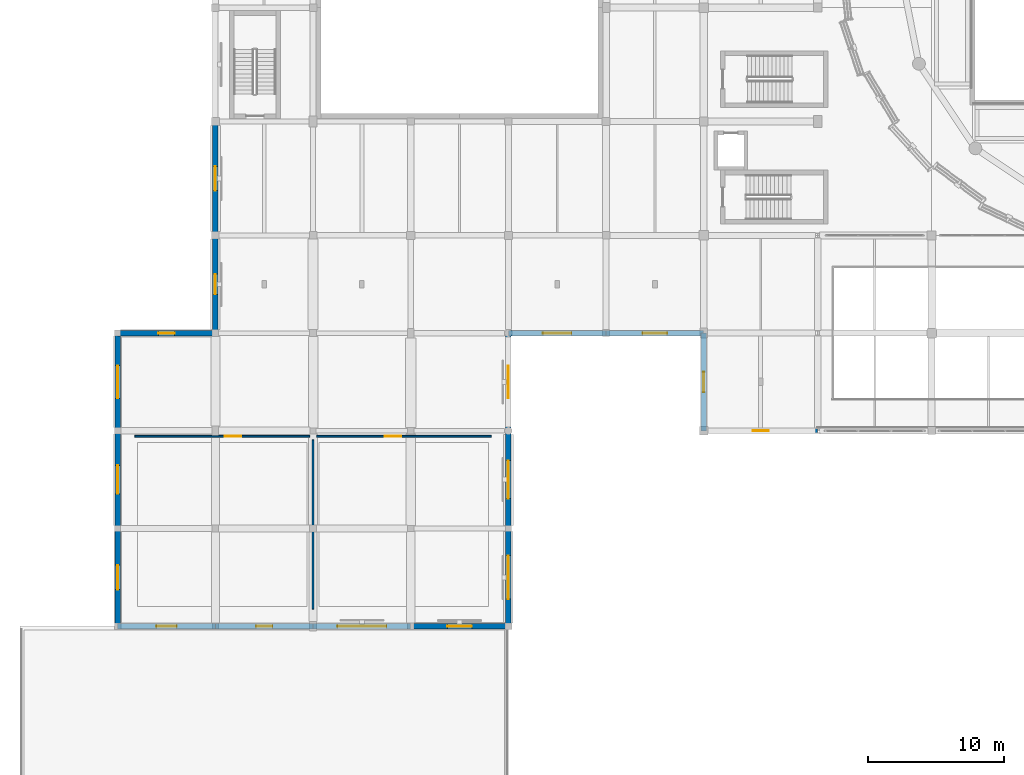
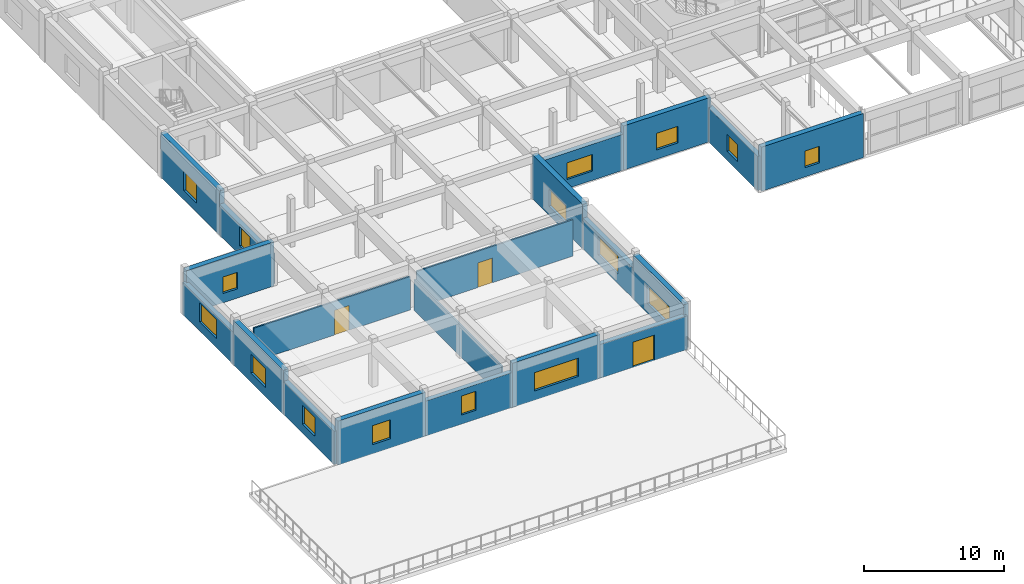
# One storey, part 46 of 71: 20 walls, 16 windows, 3 doors, 19 openings.
"""IFC4 building model written with IfcOpenShell, lengths in metres."""

from ifc_helpers import new_model, si_unit, direction, frame, frame_2d, origin, place, context, subcontext, project, spatial, rectangle, extrude, material, layer, layer_set, type_object, element, fill, save


model = new_model("IFC4")

# Units and contexts
model_context = context("Model", 3, precision=1e-05, world=origin(), true_north=direction((0.0, 1.0)))
body_context = subcontext(model_context, "Body", "Model", "MODEL_VIEW")
ifc_project = project(units=[si_unit("LENGTHUNIT", "METRE"), si_unit("AREAUNIT", "SQUARE_METRE"), si_unit("VOLUMEUNIT", "CUBIC_METRE"), si_unit("PLANEANGLEUNIT", "RADIAN"), si_unit("MASSUNIT", "GRAM", prefix="KILO")], contexts=[model_context])

# Site, building, storey
site_placement = place(None, origin())
site = spatial("IfcSite", under=ifc_project, at=site_placement, CompositionType="ELEMENT")
building_placement = place(site_placement, origin())
building = spatial("IfcBuilding", under=site, at=building_placement, Name="Korsvaeld Concert Hall", CompositionType="ELEMENT")
storey_placement = place(building_placement, frame((0.0, 0.0, 4.800048828125)))
storey = spatial("IfcBuildingStorey", under=building, at=storey_placement, Name="L01", CompositionType="ELEMENT", Elevation=4.800048828125)

# Wall, opening, window
ifc_material_1 = material(Name="Obernkirchener buff sandstone rainscreen on Concrete C35/45", Category="masonry")
ifc_layer_1 = layer(ifc_material_1, 0.389892578125)
ifc_layer_set_1 = layer_set([ifc_layer_1], Name="Obernkirchener buff sandstone rainscreen on Concrete C35/45")
wall_type_1 = type_object("IfcWallType", Name="WL-EXT-BUFF-390", PredefinedType="STANDARD", material=ifc_layer_set_1)
wall_1_placement = place(storey_placement, frame((14.39990234375, 36.0, 0.0), z_axis=(0.0, 0.0, 1.0), x_axis=(0.0, 1.0, 0.0)))
wall_1 = element("IfcWall", 1, at=wall_1_placement, inside=storey, type_object=wall_type_1, Name="Exterior sandstone wall L01-139", PredefinedType="STANDARD", context=body_context, shape_type="SweptSolid", body=[
    extrude(rectangle(XDim=7.199951171875, YDim=0.389892578125, at=frame_2d((3.60009765625, 0.0))), origin(), (0.0, 0.0, 1.0), 2.68994140625),
])
opening_1_placement = place(wall_1_placement, frame((2.85009765625, 0.0, 0.800048828125)))
opening_1 = element("IfcOpeningElement", 2, at=opening_1_placement, cuts=wall_1, Name="Opening WN-02", PredefinedType="OPENING", context=body_context, shape_type="SweptSolid", body=[
    extrude(rectangle(XDim=1.5, YDim=1.64990234375, at=frame_2d((0.75, 0.824951171875))), frame((0.0, 0.205078125, 0.0), z_axis=(0.0, -1.0, 0.0), x_axis=(1.0, 0.0, 0.0)), (0.0, 0.0, 1.0), 0.409912109375),
])
ifc_material_2 = material(Name="Anodised bronze frame with acoustic triple glazing", Category="glass")
window_type_1 = type_object("IfcWindowType", Name="WIN-AC-150x165", PartitioningType="SINGLE_PANEL", PredefinedType="WINDOW", material=ifc_material_2)
window_1_placement = place(opening_1_placement, origin())
window_1 = element("IfcWindow", 3, at=window_1_placement, inside=storey, type_object=window_type_1, Name="Acoustic triple-glazed window L01-050", OverallHeight=1.64990234375, OverallWidth=1.5, PartitioningType="SINGLE_PANEL", PredefinedType="WINDOW", context=body_context, shape_type="SweptSolid", body=[
    extrude(rectangle(XDim=1.5, YDim=1.64990234375, at=frame_2d((0.75, 0.824951171875))), frame((0.0, 0.030029296875, 0.0), z_axis=(0.0, -1.0, 0.0), x_axis=(1.0, 0.0, 0.0)), (0.0, 0.0, 1.0), 0.06005859375),
])
fill(opening_1, window_1)

wall_2_placement = place(storey_placement, frame((50.39990234375, 28.800048828125, 0.0), z_axis=(0.0, 0.0, 1.0), x_axis=(0.0, 1.0, 0.0)))
wall_2 = element("IfcWall", 4, at=wall_2_placement, inside=storey, type_object=wall_type_1, Name="Exterior sandstone wall L01-199", PredefinedType="STANDARD", context=body_context, shape_type="SweptSolid", body=[
    extrude(rectangle(XDim=7.199951171875, YDim=0.389892578125, at=frame_2d((3.60009765625, 0.0))), origin(), (0.0, 0.0, 1.0), 2.989990234375),
])
opening_2_placement = place(wall_2_placement, frame((2.85009765625, 0.0, 0.800048828125)))
opening_2 = element("IfcOpeningElement", 5, at=opening_2_placement, cuts=wall_2, Name="Opening WN-07", PredefinedType="OPENING", context=body_context, shape_type="SweptSolid", body=[
    extrude(rectangle(XDim=1.5, YDim=1.449951171875, at=frame_2d((0.75, 0.72509765625))), frame((0.0, 0.205078125, 0.0), z_axis=(0.0, -1.0, 0.0), x_axis=(1.0, 0.0, 0.0)), (0.0, 0.0, 1.0), 0.409912109375),
])
window_type_2 = type_object("IfcWindowType", Name="WIN-AC-150x145", PartitioningType="SINGLE_PANEL", PredefinedType="WINDOW", material=ifc_material_2)
window_2_placement = place(opening_2_placement, origin())
window_2 = element("IfcWindow", 6, at=window_2_placement, inside=storey, type_object=window_type_2, Name="Acoustic triple-glazed window L01-107", OverallHeight=1.449951171875, OverallWidth=1.5, PartitioningType="SINGLE_PANEL", PredefinedType="WINDOW", context=body_context, shape_type="SweptSolid", body=[
    extrude(rectangle(XDim=1.5, YDim=1.449951171875, at=frame_2d((0.75, 0.72509765625))), frame((0.0, 0.030029296875, 0.0), z_axis=(0.0, -1.0, 0.0), x_axis=(1.0, 0.0, 0.0)), (0.0, 0.0, 1.0), 0.06005859375),
])
fill(opening_2, window_2)

wall_3_placement = place(storey_placement, frame((43.199951171875, 36.0, 0.0), z_axis=(0.0, 0.0, 1.0), x_axis=(-1.0, 0.0, 0.0)))
wall_3 = element("IfcWall", 7, at=wall_3_placement, inside=storey, type_object=wall_type_1, Name="Exterior sandstone wall L01-201", PredefinedType="STANDARD", context=body_context, shape_type="SweptSolid", body=[
    extrude(rectangle(XDim=7.199951171875, YDim=0.389892578125, at=frame_2d((3.60009765625, 0.0))), origin(), (0.0, 0.0, 1.0), 3.139892578125),
])
opening_3_placement = place(wall_3_placement, frame((2.550048828125, 0.0, 0.800048828125)))
opening_3 = element("IfcOpeningElement", 8, at=opening_3_placement, cuts=wall_3, Name="Opening WN-09", PredefinedType="OPENING", context=body_context, shape_type="SweptSolid", body=[
    extrude(rectangle(XDim=2.10009765625, YDim=1.449951171875, at=frame_2d((1.050048828125, 0.72509765625))), frame((0.0, 0.205078125, 0.0), z_axis=(0.0, -1.0, 0.0), x_axis=(1.0, 0.0, 0.0)), (0.0, 0.0, 1.0), 0.409912109375),
])
window_type_3 = type_object("IfcWindowType", Name="WIN-AC-210x145", PartitioningType="SINGLE_PANEL", PredefinedType="WINDOW", material=ifc_material_2)
window_3_placement = place(opening_3_placement, origin())
window_3 = element("IfcWindow", 9, at=window_3_placement, inside=storey, type_object=window_type_3, Name="Acoustic triple-glazed window L01-109", OverallHeight=1.449951171875, OverallWidth=2.10009765625, PartitioningType="SINGLE_PANEL", PredefinedType="WINDOW", context=body_context, shape_type="SweptSolid", body=[
    extrude(rectangle(XDim=2.10009765625, YDim=1.449951171875, at=frame_2d((1.050048828125, 0.72509765625))), frame((0.0, 0.030029296875, 0.0), z_axis=(0.0, -1.0, 0.0), x_axis=(1.0, 0.0, 0.0)), (0.0, 0.0, 1.0), 0.06005859375),
])
fill(opening_3, window_3)

wall_4_placement = place(storey_placement, frame((36.0, 28.800048828125, 0.0), z_axis=(0.0, 0.0, 1.0), x_axis=(0.0, -1.0, 0.0)))
wall_4 = element("IfcWall", 10, at=wall_4_placement, inside=storey, type_object=wall_type_1, Name="Exterior sandstone wall L01-203", PredefinedType="STANDARD", context=body_context, shape_type="SweptSolid", body=[
    extrude(rectangle(XDim=7.199951171875, YDim=0.389892578125, at=frame_2d((3.60009765625, 0.0))), origin(), (0.0, 0.0, 1.0), 2.639892578125),
])
opening_4_placement = place(wall_4_placement, frame((2.199951171875, 0.0, 0.800048828125)))
opening_4 = element("IfcOpeningElement", 11, at=opening_4_placement, cuts=wall_4, Name="Opening WN-14", PredefinedType="OPENING", context=body_context, shape_type="SweptSolid", body=[
    extrude(rectangle(XDim=2.800048828125, YDim=1.60009765625, at=frame_2d((1.39990234375, 0.800048828125))), frame((0.0, 0.205078125, 0.0), z_axis=(0.0, -1.0, 0.0), x_axis=(1.0, 0.0, 0.0)), (0.0, 0.0, 1.0), 0.409912109375),
])
window_type_4 = type_object("IfcWindowType", Name="WIN-AC-280x160", PartitioningType="TRIPLE_PANEL_VERTICAL", PredefinedType="WINDOW", material=ifc_material_2)
window_4_placement = place(opening_4_placement, origin())
window_4 = element("IfcWindow", 12, at=window_4_placement, inside=storey, type_object=window_type_4, Name="Acoustic triple-glazed window L01-111", OverallHeight=1.60009765625, OverallWidth=2.800048828125, PartitioningType="TRIPLE_PANEL_VERTICAL", PredefinedType="WINDOW", context=body_context, shape_type="SweptSolid", body=[
    extrude(rectangle(XDim=2.800048828125, YDim=1.60009765625, at=frame_2d((1.39990234375, 0.800048828125))), frame((0.0, 0.030029296875, 0.0), z_axis=(0.0, -1.0, 0.0), x_axis=(1.0, 0.0, 0.0)), (0.0, 0.0, 1.0), 0.06005859375),
])
fill(opening_4, window_4)

# Wall, opening, door
wall_5_placement = place(storey_placement, frame((36.0, 14.39990234375, 0.0), z_axis=(0.0, 0.0, 1.0), x_axis=(-1.0, 0.0, 0.0)))
wall_5 = element("IfcWall", 13, at=wall_5_placement, inside=storey, type_object=wall_type_1, Name="Exterior sandstone wall L01-205", PredefinedType="STANDARD", context=body_context, shape_type="SweptSolid", body=[
    extrude(rectangle(XDim=7.199951171875, YDim=0.389892578125, at=frame_2d((3.60009765625, 0.0))), origin(), (0.0, 0.0, 1.0), 2.93994140625),
])
opening_5_placement = place(wall_5_placement, frame((2.699951171875, 0.0, 0.0)))
opening_5 = element("IfcOpeningElement", 14, at=opening_5_placement, cuts=wall_5, Name="Opening TD-01", PredefinedType="OPENING", context=body_context, shape_type="SweptSolid", body=[
    extrude(rectangle(XDim=1.800048828125, YDim=2.199951171875, at=frame_2d((0.89990234375, 1.10009765625))), frame((0.0, 0.205078125, 0.0), z_axis=(0.0, -1.0, 0.0), x_axis=(1.0, 0.0, 0.0)), (0.0, 0.0, 1.0), 0.409912109375),
])
ifc_material_3 = material(Name="Anodised bronze terrace door")
door_type_1 = type_object("IfcDoorType", Name="DR-TER-180x220", OperationType="DOUBLE_DOOR_SINGLE_SWING", PredefinedType="DOOR", material=ifc_material_3)
door_1_placement = place(opening_5_placement, frame((1.800048828125, 0.0, 0.0), z_axis=(0.0, 0.0, 1.0), x_axis=(-1.0, 0.0, 0.0)))
door_1 = element("IfcDoor", 15, at=door_1_placement, inside=storey, type_object=door_type_1, Name="Roof-garden terrace access door TER_L01_SW", OperationType="DOUBLE_DOOR_SINGLE_SWING", OverallHeight=2.199951171875, OverallWidth=1.800048828125, PredefinedType="DOOR", context=body_context, shape_type="SweptSolid", body=[
    extrude(rectangle(XDim=1.800048828125, YDim=2.199951171875, at=frame_2d((0.89990234375, 1.10009765625))), frame((0.0, 0.02490234375, 0.0), z_axis=(0.0, -1.0, 0.0), x_axis=(1.0, 0.0, 0.0)), (0.0, 0.0, 1.0), 0.050048828125),
])
fill(opening_5, door_1)

# Wall, opening, window
wall_6_placement = place(storey_placement, frame((21.60009765625, 14.39990234375, 0.0), z_axis=(0.0, 0.0, 1.0), x_axis=(-1.0, 0.0, 0.0)))
wall_6 = element("IfcWall", 16, at=wall_6_placement, inside=storey, type_object=wall_type_1, Name="Exterior sandstone wall L01-207", PredefinedType="STANDARD", context=body_context, shape_type="SweptSolid", body=[
    extrude(rectangle(XDim=7.2001953125, YDim=0.389892578125, at=frame_2d((3.60009765625, 0.0))), origin(), (0.0, 0.0, 1.0), 3.0400390625),
])
opening_6_placement = place(wall_6_placement, frame((3.0, 0.0, 0.800048828125)))
opening_6 = element("IfcOpeningElement", 17, at=opening_6_placement, cuts=wall_6, Name="Opening WN-01", PredefinedType="OPENING", context=body_context, shape_type="SweptSolid", body=[
    extrude(rectangle(XDim=1.199951171875, YDim=1.64990234375, at=frame_2d((0.60009765625, 0.824951171875))), frame((0.0, 0.205078125, 0.0), z_axis=(0.0, -1.0, 0.0), x_axis=(1.0, 0.0, 0.0)), (0.0, 0.0, 1.0), 0.409912109375),
])
window_type_5 = type_object("IfcWindowType", Name="WIN-AC-120x165", PartitioningType="SINGLE_PANEL", PredefinedType="WINDOW", material=ifc_material_2)
window_5_placement = place(opening_6_placement, origin())
window_5 = element("IfcWindow", 18, at=window_5_placement, inside=storey, type_object=window_type_5, Name="Acoustic triple-glazed window L01-114", OverallHeight=1.64990234375, OverallWidth=1.199951171875, PartitioningType="SINGLE_PANEL", PredefinedType="WINDOW", context=body_context, shape_type="SweptSolid", body=[
    extrude(rectangle(XDim=1.199951171875, YDim=1.64990234375, at=frame_2d((0.60009765625, 0.824951171875))), frame((0.0, 0.030029296875, 0.0), z_axis=(0.0, -1.0, 0.0), x_axis=(1.0, 0.0, 0.0)), (0.0, 0.0, 1.0), 0.06005859375),
])
fill(opening_6, window_5)

wall_7_placement = place(storey_placement, frame((7.199951171875, 14.39990234375, 0.0), z_axis=(0.0, 0.0, 1.0), x_axis=(0.0, 1.0, 0.0)))
wall_7 = element("IfcWall", 19, at=wall_7_placement, inside=storey, type_object=wall_type_1, Name="Exterior sandstone wall L01-209", PredefinedType="STANDARD", context=body_context, shape_type="SweptSolid", body=[
    extrude(rectangle(XDim=7.2001953125, YDim=0.389892578125, at=frame_2d((3.60009765625, 0.0))), origin(), (0.0, 0.0, 1.0), 2.889892578125),
])
opening_7_placement = place(wall_7_placement, frame((2.699951171875, 0.0, 0.800048828125)))
opening_7 = element("IfcOpeningElement", 20, at=opening_7_placement, cuts=wall_7, Name="Opening WN-03", PredefinedType="OPENING", context=body_context, shape_type="SweptSolid", body=[
    extrude(rectangle(XDim=1.800048828125, YDim=1.64990234375, at=frame_2d((0.89990234375, 0.824951171875))), frame((0.0, 0.205078125, 0.0), z_axis=(0.0, -1.0, 0.0), x_axis=(1.0, 0.0, 0.0)), (0.0, 0.0, 1.0), 0.409912109375),
])
window_type_6 = type_object("IfcWindowType", Name="WIN-AC-180x165", PartitioningType="SINGLE_PANEL", PredefinedType="WINDOW", material=ifc_material_2)
window_6_placement = place(opening_7_placement, origin())
window_6 = element("IfcWindow", 21, at=window_6_placement, inside=storey, type_object=window_type_6, Name="Acoustic triple-glazed window L01-116", OverallHeight=1.64990234375, OverallWidth=1.800048828125, PartitioningType="SINGLE_PANEL", PredefinedType="WINDOW", context=body_context, shape_type="SweptSolid", body=[
    extrude(rectangle(XDim=1.800048828125, YDim=1.64990234375, at=frame_2d((0.89990234375, 0.824951171875))), frame((0.0, 0.030029296875, 0.0), z_axis=(0.0, -1.0, 0.0), x_axis=(1.0, 0.0, 0.0)), (0.0, 0.0, 1.0), 0.06005859375),
])
fill(opening_7, window_6)

wall_8_placement = place(storey_placement, frame((7.199951171875, 28.800048828125, 0.0), z_axis=(0.0, 0.0, 1.0), x_axis=(0.0, 1.0, 0.0)))
wall_8 = element("IfcWall", 22, at=wall_8_placement, inside=storey, type_object=wall_type_1, Name="Exterior sandstone wall L01-211", PredefinedType="STANDARD", context=body_context, shape_type="SweptSolid", body=[
    extrude(rectangle(XDim=7.199951171875, YDim=0.389892578125, at=frame_2d((3.60009765625, 0.0))), origin(), (0.0, 0.0, 1.0), 2.7900390625),
])
opening_8_placement = place(wall_8_placement, frame((2.39990234375, 0.0, 0.800048828125)))
opening_8 = element("IfcOpeningElement", 23, at=opening_8_placement, cuts=wall_8, Name="Opening WN-05", PredefinedType="OPENING", context=body_context, shape_type="SweptSolid", body=[
    extrude(rectangle(XDim=2.39990234375, YDim=1.64990234375, at=frame_2d((1.199951171875, 0.824951171875))), frame((0.0, 0.205078125, 0.0), z_axis=(0.0, -1.0, 0.0), x_axis=(1.0, 0.0, 0.0)), (0.0, 0.0, 1.0), 0.409912109375),
])
window_type_7 = type_object("IfcWindowType", Name="WIN-AC-240x165", PartitioningType="TRIPLE_PANEL_VERTICAL", PredefinedType="WINDOW", material=ifc_material_2)
window_7_placement = place(opening_8_placement, origin())
window_7 = element("IfcWindow", 24, at=window_7_placement, inside=storey, type_object=window_type_7, Name="Acoustic triple-glazed window L01-118", OverallHeight=1.64990234375, OverallWidth=2.39990234375, PartitioningType="TRIPLE_PANEL_VERTICAL", PredefinedType="WINDOW", context=body_context, shape_type="SweptSolid", body=[
    extrude(rectangle(XDim=2.39990234375, YDim=1.64990234375, at=frame_2d((1.199951171875, 0.824951171875))), frame((0.0, 0.030029296875, 0.0), z_axis=(0.0, -1.0, 0.0), x_axis=(1.0, 0.0, 0.0)), (0.0, 0.0, 1.0), 0.06005859375),
])
fill(opening_8, window_7)

ifc_material_4 = material(Name="Bornholm Nexo rose-red sandstone rainscreen on Concrete C35/45", Category="masonry")
ifc_layer_2 = layer(ifc_material_4, 0.419921875)
ifc_layer_set_2 = layer_set([ifc_layer_2], Name="Bornholm Nexo rose-red sandstone rainscreen on Concrete C35/45")
wall_type_2 = type_object("IfcWallType", Name="WL-EXT-NEXO-420", PredefinedType="STANDARD", material=ifc_layer_set_2)
wall_9_placement = place(storey_placement, frame((14.39990234375, 43.199951171875, 0.0), z_axis=(0.0, 0.0, 1.0), x_axis=(0.0, 1.0, 0.0)))
wall_9 = element("IfcWall", 25, at=wall_9_placement, inside=storey, type_object=wall_type_2, Name="Exterior sandstone wall L01-140", PredefinedType="STANDARD", context=body_context, shape_type="SweptSolid", body=[
    extrude(rectangle(XDim=8.400146484375, YDim=0.419921875, at=frame_2d((4.2001953125, 0.0))), origin(), (0.0, 0.0, 1.0), 3.83984375),
])
opening_9_placement = place(wall_9_placement, frame((3.300048828125, 0.0, 0.800048828125)))
opening_9 = element("IfcOpeningElement", 26, at=opening_9_placement, cuts=wall_9, Name="Opening WN-03", PredefinedType="OPENING", context=body_context, shape_type="SweptSolid", body=[
    extrude(rectangle(XDim=1.800048828125, YDim=1.64990234375, at=frame_2d((0.89990234375, 0.824951171875))), frame((0.0, 0.219970703125, 0.0), z_axis=(0.0, -1.0, 0.0), x_axis=(1.0, 0.0, 0.0)), (0.0, 0.0, 1.0), 0.43994140625),
])
window_8_placement = place(opening_9_placement, origin())
window_8 = element("IfcWindow", 27, at=window_8_placement, inside=storey, type_object=window_type_6, Name="Acoustic triple-glazed window L01-051", OverallHeight=1.64990234375, OverallWidth=1.800048828125, PartitioningType="SINGLE_PANEL", PredefinedType="WINDOW", context=body_context, shape_type="SweptSolid", body=[
    extrude(rectangle(XDim=1.800048828125, YDim=1.64990234375, at=frame_2d((0.89990234375, 0.824951171875))), frame((0.0, 0.030029296875, 0.0), z_axis=(0.0, -1.0, 0.0), x_axis=(1.0, 0.0, 0.0)), (0.0, 0.0, 1.0), 0.06005859375),
])
fill(opening_9, window_8)

wall_10_placement = place(storey_placement, frame((58.800048828125, 28.800048828125, 0.0), z_axis=(0.0, 0.0, 1.0), x_axis=(-1.0, 0.0, 0.0)))
wall_10 = element("IfcWall", 28, at=wall_10_placement, inside=storey, type_object=wall_type_2, Name="Exterior sandstone wall L01-198", PredefinedType="STANDARD", context=body_context, shape_type="SweptSolid", body=[
    extrude(rectangle(XDim=8.400146484375, YDim=0.419921875, at=frame_2d((4.2001953125, 0.0))), origin(), (0.0, 0.0, 1.0), 3.83984375),
])
opening_10_placement = place(wall_10_placement, frame((3.60009765625, 0.0, 0.800048828125)))
opening_10 = element("IfcOpeningElement", 29, at=opening_10_placement, cuts=wall_10, Name="Opening WN-06", PredefinedType="OPENING", context=body_context, shape_type="SweptSolid", body=[
    extrude(rectangle(XDim=1.199951171875, YDim=1.449951171875, at=frame_2d((0.60009765625, 0.72509765625))), frame((0.0, 0.219970703125, 0.0), z_axis=(0.0, -1.0, 0.0), x_axis=(1.0, 0.0, 0.0)), (0.0, 0.0, 1.0), 0.43994140625),
])
window_type_8 = type_object("IfcWindowType", Name="WIN-AC-120x145", PartitioningType="SINGLE_PANEL", PredefinedType="WINDOW", material=ifc_material_2)
window_9_placement = place(opening_10_placement, origin())
window_9 = element("IfcWindow", 30, at=window_9_placement, inside=storey, type_object=window_type_8, Name="Acoustic triple-glazed window L01-106", OverallHeight=1.449951171875, OverallWidth=1.199951171875, PartitioningType="SINGLE_PANEL", PredefinedType="WINDOW", context=body_context, shape_type="SweptSolid", body=[
    extrude(rectangle(XDim=1.199951171875, YDim=1.449951171875, at=frame_2d((0.60009765625, 0.72509765625))), frame((0.0, 0.030029296875, 0.0), z_axis=(0.0, -1.0, 0.0), x_axis=(1.0, 0.0, 0.0)), (0.0, 0.0, 1.0), 0.06005859375),
])
fill(opening_10, window_9)

wall_11_placement = place(storey_placement, frame((50.39990234375, 36.0, 0.0), z_axis=(0.0, 0.0, 1.0), x_axis=(-1.0, 0.0, 0.0)))
wall_11 = element("IfcWall", 31, at=wall_11_placement, inside=storey, type_object=wall_type_2, Name="Exterior sandstone wall L01-200", PredefinedType="STANDARD", context=body_context, shape_type="SweptSolid", body=[
    extrude(rectangle(XDim=7.199951171875, YDim=0.419921875, at=frame_2d((3.60009765625, 0.0))), origin(), (0.0, 0.0, 1.0), 3.83984375),
])
opening_11_placement = place(wall_11_placement, frame((2.699951171875, 0.0, 0.800048828125)))
opening_11 = element("IfcOpeningElement", 32, at=opening_11_placement, cuts=wall_11, Name="Opening WN-08", PredefinedType="OPENING", context=body_context, shape_type="SweptSolid", body=[
    extrude(rectangle(XDim=1.800048828125, YDim=1.449951171875, at=frame_2d((0.89990234375, 0.72509765625))), frame((0.0, 0.219970703125, 0.0), z_axis=(0.0, -1.0, 0.0), x_axis=(1.0, 0.0, 0.0)), (0.0, 0.0, 1.0), 0.43994140625),
])
window_type_9 = type_object("IfcWindowType", Name="WIN-AC-180x145", PartitioningType="SINGLE_PANEL", PredefinedType="WINDOW", material=ifc_material_2)
window_10_placement = place(opening_11_placement, origin())
window_10 = element("IfcWindow", 33, at=window_10_placement, inside=storey, type_object=window_type_9, Name="Acoustic triple-glazed window L01-108", OverallHeight=1.449951171875, OverallWidth=1.800048828125, PartitioningType="SINGLE_PANEL", PredefinedType="WINDOW", context=body_context, shape_type="SweptSolid", body=[
    extrude(rectangle(XDim=1.800048828125, YDim=1.449951171875, at=frame_2d((0.89990234375, 0.72509765625))), frame((0.0, 0.030029296875, 0.0), z_axis=(0.0, -1.0, 0.0), x_axis=(1.0, 0.0, 0.0)), (0.0, 0.0, 1.0), 0.06005859375),
])
fill(opening_11, window_10)

wall_12_placement = place(storey_placement, frame((36.0, 36.0, 0.0), z_axis=(0.0, 0.0, 1.0), x_axis=(0.0, -1.0, 0.0)))
wall_12 = element("IfcWall", 34, at=wall_12_placement, inside=storey, type_object=wall_type_2, Name="Exterior sandstone wall L01-202", PredefinedType="STANDARD", context=body_context, shape_type="SweptSolid", body=[
    extrude(rectangle(XDim=7.199951171875, YDim=0.419921875, at=frame_2d((3.60009765625, 0.0))), origin(), (0.0, 0.0, 1.0), 3.83984375),
])
opening_12_placement = place(wall_12_placement, frame((2.39990234375, 0.0, 0.800048828125)))
opening_12 = element("IfcOpeningElement", 35, at=opening_12_placement, cuts=wall_12, Name="Opening WN-10", PredefinedType="OPENING", context=body_context, shape_type="SweptSolid", body=[
    extrude(rectangle(XDim=2.39990234375, YDim=1.449951171875, at=frame_2d((1.199951171875, 0.72509765625))), frame((0.0, 0.219970703125, 0.0), z_axis=(0.0, -1.0, 0.0), x_axis=(1.0, 0.0, 0.0)), (0.0, 0.0, 1.0), 0.43994140625),
])
window_type_10 = type_object("IfcWindowType", Name="WIN-AC-240x145", PartitioningType="TRIPLE_PANEL_VERTICAL", PredefinedType="WINDOW", material=ifc_material_2)
window_11_placement = place(opening_12_placement, origin())
window_11 = element("IfcWindow", 36, at=window_11_placement, inside=storey, type_object=window_type_10, Name="Acoustic triple-glazed window L01-110", OverallHeight=1.449951171875, OverallWidth=2.39990234375, PartitioningType="TRIPLE_PANEL_VERTICAL", PredefinedType="WINDOW", context=body_context, shape_type="SweptSolid", body=[
    extrude(rectangle(XDim=2.39990234375, YDim=1.449951171875, at=frame_2d((1.199951171875, 0.72509765625))), frame((0.0, 0.030029296875, 0.0), z_axis=(0.0, -1.0, 0.0), x_axis=(1.0, 0.0, 0.0)), (0.0, 0.0, 1.0), 0.06005859375),
])
fill(opening_12, window_11)

wall_13_placement = place(storey_placement, frame((36.0, 21.60009765625, 0.0), z_axis=(0.0, 0.0, 1.0), x_axis=(0.0, -1.0, 0.0)))
wall_13 = element("IfcWall", 37, at=wall_13_placement, inside=storey, type_object=wall_type_2, Name="Exterior sandstone wall L01-204", PredefinedType="STANDARD", context=body_context, shape_type="SweptSolid", body=[
    extrude(rectangle(XDim=7.2001953125, YDim=0.419921875, at=frame_2d((3.60009765625, 0.0))), origin(), (0.0, 0.0, 1.0), 3.83984375),
])
opening_13_placement = place(wall_13_placement, frame((2.0, 0.0, 0.800048828125)))
opening_13 = element("IfcOpeningElement", 38, at=opening_13_placement, cuts=wall_13, Name="Opening WN-15", PredefinedType="OPENING", context=body_context, shape_type="SweptSolid", body=[
    extrude(rectangle(XDim=3.199951171875, YDim=1.60009765625, at=frame_2d((1.60009765625, 0.800048828125))), frame((0.0, 0.219970703125, 0.0), z_axis=(0.0, -1.0, 0.0), x_axis=(1.0, 0.0, 0.0)), (0.0, 0.0, 1.0), 0.43994140625),
])
window_type_11 = type_object("IfcWindowType", Name="WIN-AC-320x160", PartitioningType="TRIPLE_PANEL_VERTICAL", PredefinedType="WINDOW", material=ifc_material_2)
window_12_placement = place(opening_13_placement, origin())
window_12 = element("IfcWindow", 39, at=window_12_placement, inside=storey, type_object=window_type_11, Name="Acoustic triple-glazed window L01-112", OverallHeight=1.60009765625, OverallWidth=3.199951171875, PartitioningType="TRIPLE_PANEL_VERTICAL", PredefinedType="WINDOW", context=body_context, shape_type="SweptSolid", body=[
    extrude(rectangle(XDim=3.199951171875, YDim=1.60009765625, at=frame_2d((1.60009765625, 0.800048828125))), frame((0.0, 0.030029296875, 0.0), z_axis=(0.0, -1.0, 0.0), x_axis=(1.0, 0.0, 0.0)), (0.0, 0.0, 1.0), 0.06005859375),
])
fill(opening_13, window_12)

wall_14_placement = place(storey_placement, frame((28.800048828125, 14.39990234375, 0.0), z_axis=(0.0, 0.0, 1.0), x_axis=(-1.0, 0.0, 0.0)))
wall_14 = element("IfcWall", 40, at=wall_14_placement, inside=storey, type_object=wall_type_2, Name="Exterior sandstone wall L01-206", PredefinedType="STANDARD", context=body_context, shape_type="SweptSolid", body=[
    extrude(rectangle(XDim=7.199951171875, YDim=0.419921875, at=frame_2d((3.60009765625, 0.0))), origin(), (0.0, 0.0, 1.0), 3.83984375),
])
opening_14_placement = place(wall_14_placement, frame((1.800048828125, 0.0, 0.800048828125)))
opening_14 = element("IfcOpeningElement", 41, at=opening_14_placement, cuts=wall_14, Name="Opening WN-16", PredefinedType="OPENING", context=body_context, shape_type="SweptSolid", body=[
    extrude(rectangle(XDim=3.60009765625, YDim=1.60009765625, at=frame_2d((1.800048828125, 0.800048828125))), frame((0.0, 0.219970703125, 0.0), z_axis=(0.0, -1.0, 0.0), x_axis=(1.0, 0.0, 0.0)), (0.0, 0.0, 1.0), 0.43994140625),
])
window_type_12 = type_object("IfcWindowType", Name="WIN-AC-360x160", PartitioningType="TRIPLE_PANEL_VERTICAL", PredefinedType="WINDOW", material=ifc_material_2)
window_13_placement = place(opening_14_placement, origin())
window_13 = element("IfcWindow", 42, at=window_13_placement, inside=storey, type_object=window_type_12, Name="Acoustic triple-glazed window L01-113", OverallHeight=1.60009765625, OverallWidth=3.60009765625, PartitioningType="TRIPLE_PANEL_VERTICAL", PredefinedType="WINDOW", context=body_context, shape_type="SweptSolid", body=[
    extrude(rectangle(XDim=3.60009765625, YDim=1.60009765625, at=frame_2d((1.800048828125, 0.800048828125))), frame((0.0, 0.030029296875, 0.0), z_axis=(0.0, -1.0, 0.0), x_axis=(1.0, 0.0, 0.0)), (0.0, 0.0, 1.0), 0.06005859375),
])
fill(opening_14, window_13)

wall_15_placement = place(storey_placement, frame((14.39990234375, 14.39990234375, 0.0), z_axis=(0.0, 0.0, 1.0), x_axis=(-1.0, 0.0, 0.0)))
wall_15 = element("IfcWall", 43, at=wall_15_placement, inside=storey, type_object=wall_type_2, Name="Exterior sandstone wall L01-208", PredefinedType="STANDARD", context=body_context, shape_type="SweptSolid", body=[
    extrude(rectangle(XDim=7.199951171875, YDim=0.419921875, at=frame_2d((3.60009765625, 0.0))), origin(), (0.0, 0.0, 1.0), 3.83984375),
])
opening_15_placement = place(wall_15_placement, frame((2.85009765625, 0.0, 0.800048828125)))
opening_15 = element("IfcOpeningElement", 44, at=opening_15_placement, cuts=wall_15, Name="Opening WN-02", PredefinedType="OPENING", context=body_context, shape_type="SweptSolid", body=[
    extrude(rectangle(XDim=1.5, YDim=1.64990234375, at=frame_2d((0.75, 0.824951171875))), frame((0.0, 0.219970703125, 0.0), z_axis=(0.0, -1.0, 0.0), x_axis=(1.0, 0.0, 0.0)), (0.0, 0.0, 1.0), 0.43994140625),
])
window_14_placement = place(opening_15_placement, origin())
window_14 = element("IfcWindow", 45, at=window_14_placement, inside=storey, type_object=window_type_1, Name="Acoustic triple-glazed window L01-115", OverallHeight=1.64990234375, OverallWidth=1.5, PartitioningType="SINGLE_PANEL", PredefinedType="WINDOW", context=body_context, shape_type="SweptSolid", body=[
    extrude(rectangle(XDim=1.5, YDim=1.64990234375, at=frame_2d((0.75, 0.824951171875))), frame((0.0, 0.030029296875, 0.0), z_axis=(0.0, -1.0, 0.0), x_axis=(1.0, 0.0, 0.0)), (0.0, 0.0, 1.0), 0.06005859375),
])
fill(opening_15, window_14)

wall_16_placement = place(storey_placement, frame((7.199951171875, 21.60009765625, 0.0), z_axis=(0.0, 0.0, 1.0), x_axis=(0.0, 1.0, 0.0)))
wall_16 = element("IfcWall", 46, at=wall_16_placement, inside=storey, type_object=wall_type_2, Name="Exterior sandstone wall L01-210", PredefinedType="STANDARD", context=body_context, shape_type="SweptSolid", body=[
    extrude(rectangle(XDim=7.199951171875, YDim=0.419921875, at=frame_2d((3.60009765625, 0.0))), origin(), (0.0, 0.0, 1.0), 3.83984375),
])
opening_16_placement = place(wall_16_placement, frame((2.550048828125, 0.0, 0.800048828125)))
opening_16 = element("IfcOpeningElement", 47, at=opening_16_placement, cuts=wall_16, Name="Opening WN-04", PredefinedType="OPENING", context=body_context, shape_type="SweptSolid", body=[
    extrude(rectangle(XDim=2.10009765625, YDim=1.64990234375, at=frame_2d((1.050048828125, 0.824951171875))), frame((0.0, 0.219970703125, 0.0), z_axis=(0.0, -1.0, 0.0), x_axis=(1.0, 0.0, 0.0)), (0.0, 0.0, 1.0), 0.43994140625),
])
window_type_13 = type_object("IfcWindowType", Name="WIN-AC-210x165", PartitioningType="SINGLE_PANEL", PredefinedType="WINDOW", material=ifc_material_2)
window_15_placement = place(opening_16_placement, origin())
window_15 = element("IfcWindow", 48, at=window_15_placement, inside=storey, type_object=window_type_13, Name="Acoustic triple-glazed window L01-117", OverallHeight=1.64990234375, OverallWidth=2.10009765625, PartitioningType="SINGLE_PANEL", PredefinedType="WINDOW", context=body_context, shape_type="SweptSolid", body=[
    extrude(rectangle(XDim=2.10009765625, YDim=1.64990234375, at=frame_2d((1.050048828125, 0.824951171875))), frame((0.0, 0.030029296875, 0.0), z_axis=(0.0, -1.0, 0.0), x_axis=(1.0, 0.0, 0.0)), (0.0, 0.0, 1.0), 0.06005859375),
])
fill(opening_16, window_15)

wall_17_placement = place(storey_placement, frame((7.199951171875, 36.0, 0.0), z_axis=(0.0, 0.0, 1.0), x_axis=(1.0, 0.0, 0.0)))
wall_17 = element("IfcWall", 49, at=wall_17_placement, inside=storey, type_object=wall_type_2, Name="Exterior sandstone wall L01-212", PredefinedType="STANDARD", context=body_context, shape_type="SweptSolid", body=[
    extrude(rectangle(XDim=7.199951171875, YDim=0.419921875, at=frame_2d((3.60009765625, 0.0))), origin(), (0.0, 0.0, 1.0), 3.83984375),
])
opening_17_placement = place(wall_17_placement, frame((3.0, 0.0, 0.800048828125)))
opening_17 = element("IfcOpeningElement", 50, at=opening_17_placement, cuts=wall_17, Name="Opening WN-06", PredefinedType="OPENING", context=body_context, shape_type="SweptSolid", body=[
    extrude(rectangle(XDim=1.199951171875, YDim=1.449951171875, at=frame_2d((0.60009765625, 0.72509765625))), frame((0.0, 0.219970703125, 0.0), z_axis=(0.0, -1.0, 0.0), x_axis=(1.0, 0.0, 0.0)), (0.0, 0.0, 1.0), 0.43994140625),
])
window_16_placement = place(opening_17_placement, origin())
window_16 = element("IfcWindow", 51, at=window_16_placement, inside=storey, type_object=window_type_8, Name="Acoustic triple-glazed window L01-119", OverallHeight=1.449951171875, OverallWidth=1.199951171875, PartitioningType="SINGLE_PANEL", PredefinedType="WINDOW", context=body_context, shape_type="SweptSolid", body=[
    extrude(rectangle(XDim=1.199951171875, YDim=1.449951171875, at=frame_2d((0.60009765625, 0.72509765625))), frame((0.0, 0.030029296875, 0.0), z_axis=(0.0, -1.0, 0.0), x_axis=(1.0, 0.0, 0.0)), (0.0, 0.0, 1.0), 0.06005859375),
])
fill(opening_17, window_16)

# Wall
ifc_material_5 = material(Name="Insulated acoustic gypsum partition")
ifc_layer_3 = layer(ifc_material_5, 0.125)
ifc_layer_set_3 = layer_set([ifc_layer_3], Name="Insulated acoustic gypsum partition")
wall_type_3 = type_object("IfcWallType", Name="WL-PART-125", PredefinedType="PARTITIONING", material=ifc_layer_set_3)
wall_18_placement = place(storey_placement, frame((21.60009765625, 15.659912109375, 0.0), z_axis=(0.0, 0.0, 1.0), x_axis=(0.0, 1.0, 0.0)))
element("IfcWall", 52, at=wall_18_placement, inside=storey, type_object=wall_type_3, Name="Interior partition L01-05 E", PredefinedType="PARTITIONING", context=body_context, shape_type="SweptSolid", body=[
    extrude(rectangle(XDim=12.47998046875, YDim=0.125, at=frame_2d((6.239990234375, 0.0))), origin(), (0.0, 0.0, 1.0), 2.71484375),
])

# Wall, opening, door
wall_19_placement = place(storey_placement, frame((21.340087890625, 28.39990234375, 0.0), z_axis=(0.0, 0.0, 1.0), x_axis=(-1.0, 0.0, 0.0)))
wall_19 = element("IfcWall", 53, at=wall_19_placement, inside=storey, type_object=wall_type_3, Name="Interior partition L01-05 N", PredefinedType="PARTITIONING", context=body_context, shape_type="SweptSolid", body=[
    extrude(rectangle(XDim=12.880126953125, YDim=0.125, at=frame_2d((6.43994140625, 0.0))), origin(), (0.0, 0.0, 1.0), 2.9150390625),
])
opening_18_placement = place(wall_19_placement, frame((5.0400390625, 0.0, 0.0)))
opening_18 = element("IfcOpeningElement", 54, at=opening_18_placement, cuts=wall_19, Name="Opening ID-01", PredefinedType="OPENING", context=body_context, shape_type="SweptSolid", body=[
    extrude(rectangle(XDim=1.199951171875, YDim=2.14990234375, at=frame_2d((0.60009765625, 1.074951171875))), frame((0.0, 0.072509765625, 0.0), z_axis=(0.0, -1.0, 0.0), x_axis=(1.0, 0.0, 0.0)), (0.0, 0.0, 1.0), 0.14501953125),
])
ifc_material_6 = material(Name="Solid European oak acoustic studio door")
door_type_2 = type_object("IfcDoorType", Name="DR-INT-REH-120x215", OperationType="NOTDEFINED", PredefinedType="DOOR", material=ifc_material_6)
door_2_placement = place(opening_18_placement, origin())
door_2 = element("IfcDoor", 55, at=door_2_placement, inside=storey, type_object=door_type_2, Name="Community Music Room West 1 door L01-05", OperationType="SINGLE_SWING_RIGHT", OverallHeight=2.14990234375, OverallWidth=1.199951171875, PredefinedType="DOOR", context=body_context, shape_type="SweptSolid", body=[
    extrude(rectangle(XDim=1.199951171875, YDim=2.14990234375, at=frame_2d((0.60009765625, 1.074951171875))), frame((0.0, 0.02490234375, 0.0), z_axis=(0.0, -1.0, 0.0), x_axis=(1.0, 0.0, 0.0)), (0.0, 0.0, 1.0), 0.050048828125),
])
fill(opening_18, door_2)

wall_20_placement = place(storey_placement, frame((34.739990234375, 28.39990234375, 0.0), z_axis=(0.0, 0.0, 1.0), x_axis=(-1.0, 0.0, 0.0)))
wall_20 = element("IfcWall", 56, at=wall_20_placement, inside=storey, type_object=wall_type_3, Name="Interior partition L01-06 N", PredefinedType="PARTITIONING", context=body_context, shape_type="SweptSolid", body=[
    extrude(rectangle(XDim=12.8798828125, YDim=0.125, at=frame_2d((6.43994140625, 0.0))), origin(), (0.0, 0.0, 1.0), 3.1650390625),
])
opening_19_placement = place(wall_20_placement, frame((6.639892578125, 0.0, 0.0)))
opening_19 = element("IfcOpeningElement", 57, at=opening_19_placement, cuts=wall_20, Name="Opening ID-01", PredefinedType="OPENING", context=body_context, shape_type="SweptSolid", body=[
    extrude(rectangle(XDim=1.199951171875, YDim=2.14990234375, at=frame_2d((0.60009765625, 1.074951171875))), frame((0.0, 0.072509765625, 0.0), z_axis=(0.0, -1.0, 0.0), x_axis=(1.0, 0.0, 0.0)), (0.0, 0.0, 1.0), 0.14501953125),
])
door_3_placement = place(opening_19_placement, origin())
door_3 = element("IfcDoor", 58, at=door_3_placement, inside=storey, type_object=door_type_2, Name="Community Music Room West 2 door L01-06", OperationType="SINGLE_SWING_LEFT", OverallHeight=2.14990234375, OverallWidth=1.199951171875, PredefinedType="DOOR", context=body_context, shape_type="SweptSolid", body=[
    extrude(rectangle(XDim=1.199951171875, YDim=2.14990234375, at=frame_2d((0.60009765625, 1.074951171875))), frame((0.0, 0.02490234375, 0.0), z_axis=(0.0, -1.0, 0.0), x_axis=(1.0, 0.0, 0.0)), (0.0, 0.0, 1.0), 0.050048828125),
])
fill(opening_19, door_3)

save(model, "model.ifc")
